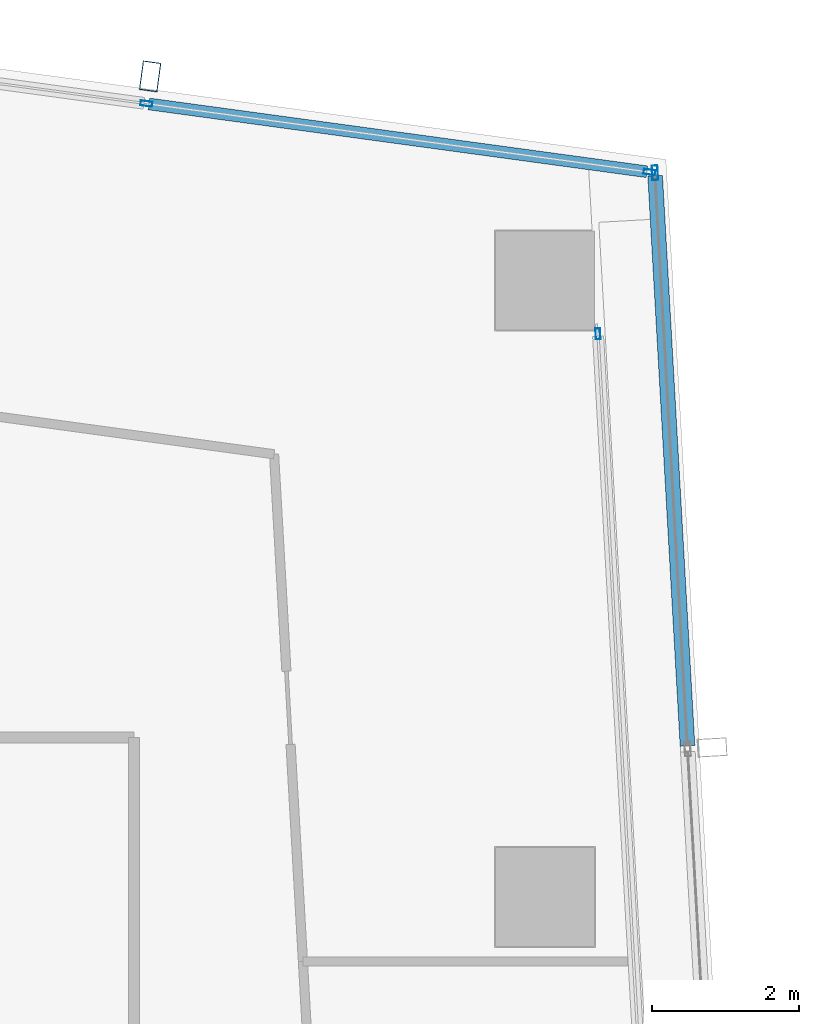
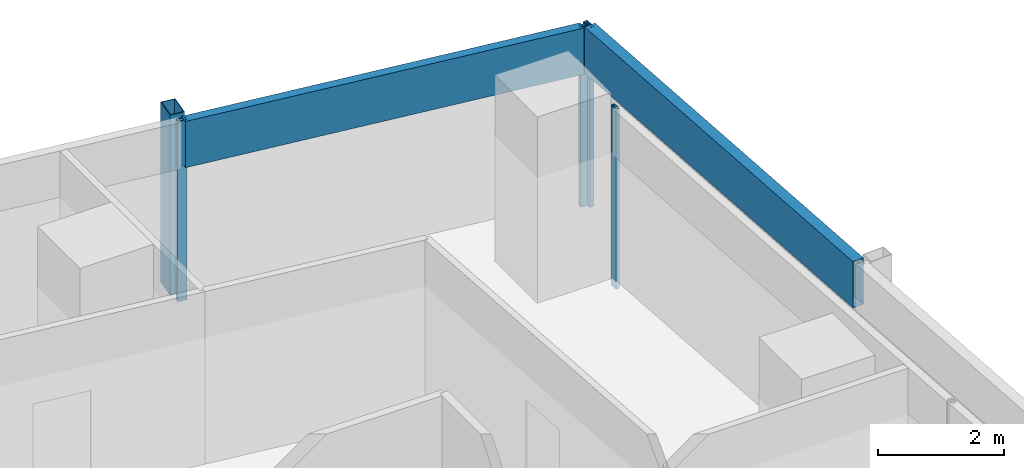
# One storey, part 24 of 39: 7 members, 3 elements without a shape of their own.
"""IFC4 building model written with IfcOpenShell, lengths in metres."""

from ifc_helpers import new_model, si_unit, direction, frame, origin, origin_2d, place, context, subcontext, project, spatial, hollow_rectangle, extrude, material, material_profile, profile_set, type_object, element, aggregate, save


model = new_model("IFC4")

# Units and contexts
model_context = context("Model", 3, precision=1e-05, world=origin(), true_north=direction((0.0, 1.0)))
body_context = subcontext(model_context, "Body", "Model", "MODEL_VIEW")
ifc_project = project(units=[si_unit("LENGTHUNIT", "METRE"), si_unit("AREAUNIT", "SQUARE_METRE"), si_unit("VOLUMEUNIT", "CUBIC_METRE"), si_unit("PLANEANGLEUNIT", "RADIAN"), si_unit("MASSUNIT", "GRAM", prefix="KILO")], contexts=[model_context])

# Site, building, storey
site_placement = place(None, origin())
site = spatial("IfcSite", under=ifc_project, at=site_placement, CompositionType="ELEMENT")
building_placement = place(site_placement, origin())
building = spatial("IfcBuilding", under=site, at=building_placement, Name="Rekha Terrace Tower", CompositionType="ELEMENT")
storey_placement = place(building_placement, frame((0.0, 0.0, 187.699951171875)))
storey = spatial("IfcBuildingStorey", under=building, at=storey_placement, Name="L47", CompositionType="ELEMENT", Elevation=187.699951171875)

# Curtain wall, member
ifc_material_1 = material(Name="Aluminium framing", Category="aluminium")
curtain_wall_type_1 = type_object("IfcCurtainWallType", Name="CW3 north unitised glazing", PredefinedType="USERDEFINED", material=ifc_material_1)
curtain_wall_1_placement = place(storey_placement, origin())
curtain_wall_1 = element("IfcCurtainWall", 1, at=curtain_wall_1_placement, inside=storey, type_object=curtain_wall_type_1, Name="CW3 unitised curtain wall", ObjectType="UNITISED CURTAIN WALL", PredefinedType="USERDEFINED")
ifc_material_2 = material(Name="Steel S355 with fluorocarbon finish", Category="steel")
ifc_material_profile_1 = material_profile(ifc_material_2, hollow_rectangle(XDim=0.25, YDim=0.39990234375, WallThickness=0.012451171875, at=origin_2d()), Name="RHS400x250x12.5")
ifc_profile_set_1 = profile_set([ifc_material_profile_1], Name="Steel S355 with fluorocarbon finish")
member_type_1 = type_object("IfcMemberType", Name="BL1 facade blade RHS 400 x 250", PredefinedType="USERDEFINED", material=ifc_profile_set_1)
member_1_placement = place(storey_placement, frame((53.419921875, 61.583251953125, 0.0), z_axis=(0.0, 0.0, 1.0), x_axis=(-0.990867309488, 0.134840553943, 0.0)))
member_1 = element("IfcMember", 2, at=member_1_placement, type_object=member_type_1, Name="Facade blade", ObjectType="FACADE BLADE", PredefinedType="USERDEFINED", context=body_context, shape_type="SweptSolid", body=[
    extrude(hollow_rectangle(XDim=0.25, YDim=0.39990234375, WallThickness=0.012451171875, at=origin_2d()), origin(), (0.0, 0.0, 1.0), 3.5),
])

curtain_wall_type_2 = type_object("IfcCurtainWallType", Name="CW1 double skin inner glazing", PredefinedType="USERDEFINED", material=ifc_material_1)
curtain_wall_2_placement = place(storey_placement, origin())
curtain_wall_2 = element("IfcCurtainWall", 3, at=curtain_wall_2_placement, inside=storey, type_object=curtain_wall_type_2, Name="CW1 double skin inner glazing", ObjectType="DOUBLE SKIN INNER GLAZING", PredefinedType="USERDEFINED")
ifc_material_3 = material(Name="Aluminium mullion section", Category="aluminium")
ifc_material_profile_2 = material_profile(ifc_material_3, hollow_rectangle(XDim=0.06494140625, YDim=0.14990234375, WallThickness=0.00390625, at=origin_2d()), Name="AL RHS 65x150")
ifc_profile_set_2 = profile_set([ifc_material_profile_2], Name="Aluminium mullion section")
member_type_2 = type_object("IfcMemberType", Name="CW1 mullion RHS 65 x 150", PredefinedType="MULLION", material=ifc_profile_set_2)
member_2_placement = place(storey_placement, frame((59.523193359375, 58.0751953125, 0.0), z_axis=(0.0, 0.0, 1.0), x_axis=(-0.998392782919, -0.05667319486, 0.0)))
member_2 = element("IfcMember", 4, at=member_2_placement, type_object=member_type_2, Name="CW1 mullion 4", PredefinedType="MULLION", context=body_context, shape_type="SweptSolid", body=[
    extrude(hollow_rectangle(XDim=0.06494140625, YDim=0.14990234375, WallThickness=0.00390625, at=origin_2d()), origin(), (0.0, 0.0, 1.0), 3.5),
])
aggregate(curtain_wall_2, [member_2])

# Curtain wall, members
curtain_wall_type_3 = type_object("IfcCurtainWallType", Name="CW2 double skin outer glazing", PredefinedType="USERDEFINED", material=ifc_material_1)
curtain_wall_3_placement = place(storey_placement, origin())
curtain_wall_3 = element("IfcCurtainWall", 5, at=curtain_wall_3_placement, inside=storey, type_object=curtain_wall_type_3, Name="CW2 double skin outer glazing", ObjectType="DOUBLE SKIN OUTER GLAZING", PredefinedType="USERDEFINED")
ifc_material_profile_3 = material_profile(ifc_material_3, hollow_rectangle(XDim=0.080078125, YDim=0.199951171875, WallThickness=0.00390625, at=origin_2d()), Name="AL RHS 80x200")
ifc_profile_set_3 = profile_set([ifc_material_profile_3], Name="Aluminium mullion section")
member_type_3 = type_object("IfcMemberType", Name="CW2 mullion RHS 80 x 200", PredefinedType="MULLION", material=ifc_profile_set_3)
member_3_placement = place(storey_placement, frame((60.300048828125, 60.269287109375, 0.0), z_axis=(0.0, 0.0, 1.0), x_axis=(-0.998392782919, -0.05667319486, 0.0)))
member_3 = element("IfcMember", 6, at=member_3_placement, type_object=member_type_3, Name="CW2 mullion 5", PredefinedType="MULLION", context=body_context, shape_type="SweptSolid", body=[
    extrude(hollow_rectangle(XDim=0.080078125, YDim=0.199951171875, WallThickness=0.00390625, at=origin_2d()), origin(), (0.0, 0.0, 1.0), 3.5),
])
ifc_material_4 = material(Name="Insulated aluminium spandrel box", Category="aluminium")
ifc_material_profile_4 = material_profile(ifc_material_4, hollow_rectangle(XDim=0.199951171875, YDim=0.89990234375, WallThickness=0.0029296875, at=origin_2d()), Name="AL SPANDREL BOX 200x900")
ifc_profile_set_4 = profile_set([ifc_material_profile_4], Name="Insulated aluminium spandrel box")
member_type_4 = type_object("IfcMemberType", Name="CW2 spandrel transom 200 x 900", PredefinedType="USERDEFINED", material=ifc_profile_set_4)
member_4_placement = place(storey_placement, frame((60.743408203125, 52.45849609375, 3.050048828125), z_axis=(-0.05667908121, 0.998392448766, 0.0), x_axis=(-0.998392448766, -0.05667908121, 0.0)))
member_4 = element("IfcMember", 7, at=member_4_placement, type_object=member_type_4, Name="CW2 spandrel transom 4", ObjectType="TRANSOM", PredefinedType="USERDEFINED", context=body_context, shape_type="SweptSolid", body=[
    extrude(hollow_rectangle(XDim=0.199951171875, YDim=0.89990234375, WallThickness=0.0029296875, at=origin_2d()), origin(), (0.0, 0.0, 1.0), 7.783447265625),
])
aggregate(curtain_wall_3, [member_3, member_4])

# Member
ifc_material_profile_5 = material_profile(ifc_material_3, hollow_rectangle(XDim=0.070068359375, YDim=0.159912109375, WallThickness=0.00390625, at=origin_2d()), Name="AL RHS 70x160")
ifc_profile_set_5 = profile_set([ifc_material_profile_5], Name="Aluminium mullion section")
member_type_5 = type_object("IfcMemberType", Name="CW3 mullion RHS 70 x 160", PredefinedType="MULLION", material=ifc_profile_set_5)
member_5_placement = place(storey_placement, frame((60.22509765625, 60.27880859375, 0.0), z_axis=(0.0, 0.0, 1.0), x_axis=(-0.134840840416, -0.990867270504, 0.0)))
member_5 = element("IfcMember", 8, at=member_5_placement, type_object=member_type_5, Name="CW3 mullion 1", PredefinedType="MULLION", context=body_context, shape_type="SweptSolid", body=[
    extrude(hollow_rectangle(XDim=0.070068359375, YDim=0.159912109375, WallThickness=0.00390625, at=origin_2d()), origin(), (0.0, 0.0, 1.0), 3.5),
])

member_6_placement = place(storey_placement, frame((53.369384765625, 61.211669921875, 0.0), z_axis=(0.0, 0.0, 1.0), x_axis=(-0.134840840416, -0.990867270504, 0.0)))
member_6 = element("IfcMember", 9, at=member_6_placement, type_object=member_type_5, Name="CW3 mullion 2", PredefinedType="MULLION", context=body_context, shape_type="SweptSolid", body=[
    extrude(hollow_rectangle(XDim=0.070068359375, YDim=0.159912109375, WallThickness=0.00390625, at=origin_2d()), origin(), (0.0, 0.0, 1.0), 3.5),
])

ifc_material_profile_6 = material_profile(ifc_material_4, hollow_rectangle(XDim=0.159912109375, YDim=0.89990234375, WallThickness=0.0029296875, at=origin_2d()), Name="AL SPANDREL BOX 160x900")
ifc_profile_set_6 = profile_set([ifc_material_profile_6], Name="Insulated aluminium spandrel box")
member_type_6 = type_object("IfcMemberType", Name="CW3 spandrel transom 160 x 900", PredefinedType="USERDEFINED", material=ifc_profile_set_6)
member_7_placement = place(storey_placement, frame((60.190185546875, 60.283447265625, 3.050048828125), z_axis=(-0.990865276141, 0.134855495022, 0.0), x_axis=(-0.134855495022, -0.990865276141, 0.0)))
member_7 = element("IfcMember", 10, at=member_7_placement, type_object=member_type_6, Name="CW3 spandrel transom 1", ObjectType="TRANSOM", PredefinedType="USERDEFINED", context=body_context, shape_type="SweptSolid", body=[
    extrude(hollow_rectangle(XDim=0.159912109375, YDim=0.89990234375, WallThickness=0.0029296875, at=origin_2d()), origin(), (0.0, 0.0, 1.0), 6.8486328125),
])

aggregate(curtain_wall_1, [member_5, member_6, member_7, member_1])

save(model, "model.ifc")
